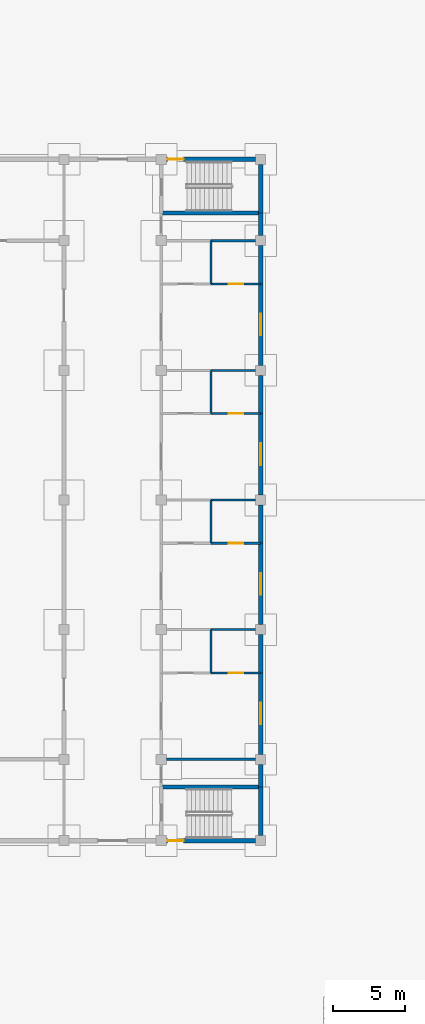
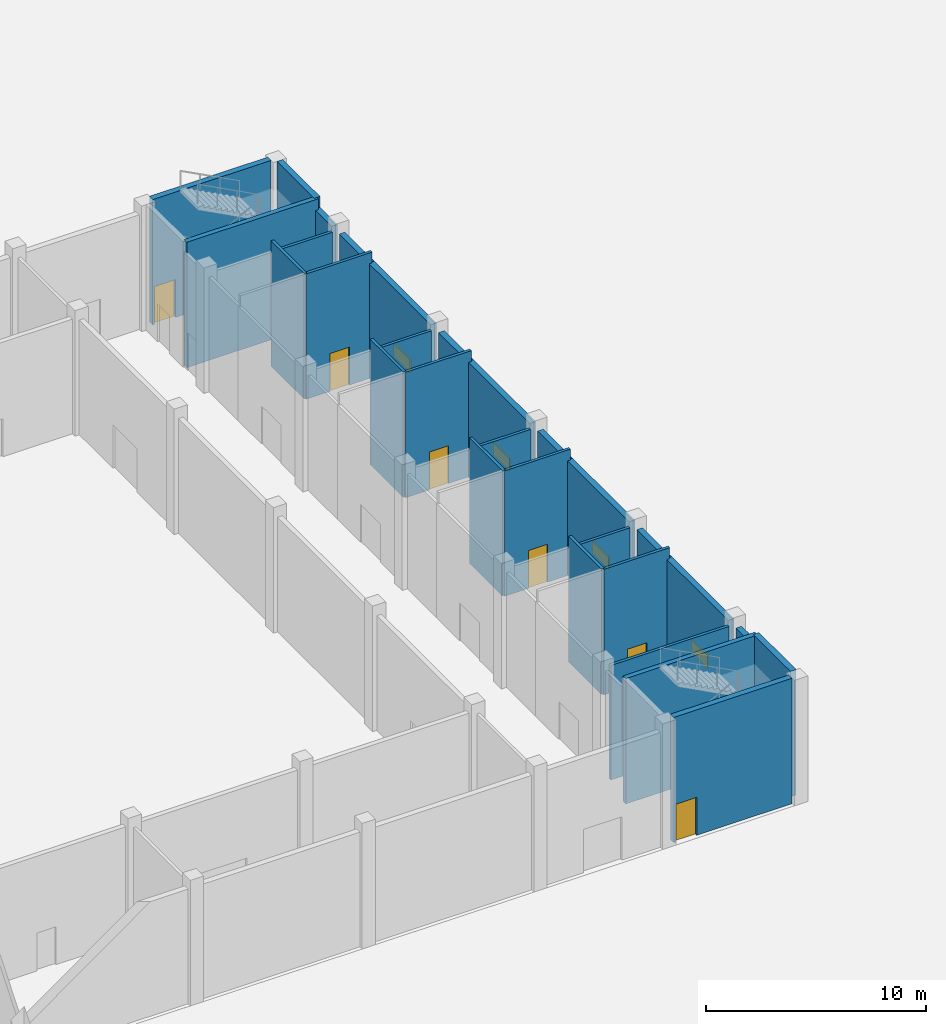
# One storey, part 18 of 30: 29 walls, 6 doors, 4 windows, 10 openings.
"""IFC4 building model written with IfcOpenShell, lengths in metres."""

from ifc_helpers import new_model, si_unit, direction, frame, frame_2d, origin, place, context, subcontext, project, spatial, rectangle, extrude, material, layer, layer_set, type_object, element, fill, save


model = new_model("IFC4")

# Units and contexts
model_context = context("Model", 3, precision=1e-05, world=origin(), true_north=direction((0.0, 1.0)))
body_context = subcontext(model_context, "Body", "Model", "MODEL_VIEW")
ifc_project = project(units=[si_unit("LENGTHUNIT", "METRE"), si_unit("AREAUNIT", "SQUARE_METRE"), si_unit("VOLUMEUNIT", "CUBIC_METRE"), si_unit("PLANEANGLEUNIT", "RADIAN"), si_unit("MASSUNIT", "GRAM", prefix="KILO")], contexts=[model_context])

# Site, building, storey
site_placement = place(None, origin())
site = spatial("IfcSite", under=ifc_project, at=site_placement, CompositionType="ELEMENT")
building_placement = place(site_placement, origin())
building = spatial("IfcBuilding", under=site, at=building_placement, Name="Corbel Stack Research Tower", CompositionType="ELEMENT")
storey_placement = place(building_placement, origin())
storey = spatial("IfcBuildingStorey", under=building, at=storey_placement, Name="L00", CompositionType="ELEMENT", Elevation=0.0)

# Wall
ifc_material_1 = material(Name="Concrete C40/50", Category="concrete")
ifc_layer_1 = layer(ifc_material_1, 0.300048828125)
ifc_layer_set_1 = layer_set([ifc_layer_1], Name="Concrete C40/50")
wall_type_1 = type_object("IfcWallType", Name="HW1 exterior wall 300", PredefinedType="SOLIDWALL", material=ifc_layer_set_1)
wall_1_placement = place(storey_placement, frame((100.60009765625, -19.925048828125, 0.0), z_axis=(0.0, 0.0, 1.0), x_axis=(0.0, 1.0, 0.0)))
element("IfcWall", 1, at=wall_1_placement, inside=storey, type_object=wall_type_1, Name="Exterior wall L00 v100.60/-19.9", PredefinedType="SOLIDWALL", context=body_context, shape_type="SweptSolid", body=[
    extrude(rectangle(XDim=1.574951171875, YDim=0.300048828125, at=frame_2d((0.78759765625, 0.0))), origin(), (0.0, 0.0, 1.0), 6.35009765625),
])

# Wall, opening, window
wall_2_placement = place(storey_placement, frame((100.60009765625, -17.64990234375, 0.0), z_axis=(0.0, 0.0, 1.0), x_axis=(0.0, 1.0, 0.0)))
wall_2 = element("IfcWall", 2, at=wall_2_placement, inside=storey, type_object=wall_type_1, Name="Exterior wall L00 v100.60/-17.6", PredefinedType="SOLIDWALL", context=body_context, shape_type="SweptSolid", body=[
    extrude(rectangle(XDim=5.64990234375, YDim=0.300048828125, at=frame_2d((2.824951171875, 0.0))), origin(), (0.0, 0.0, 1.0), 6.35009765625),
])
opening_1_placement = place(wall_2_placement, frame((2.074951171875, 0.0, 2.39990234375)))
opening_1 = element("IfcOpeningElement", 3, at=opening_1_placement, cuts=wall_2, Name="Opening HX2", PredefinedType="OPENING", context=body_context, shape_type="SweptSolid", body=[
    extrude(rectangle(XDim=1.5, YDim=0.699951171875, at=frame_2d((0.75, 0.35009765625))), frame((0.0, 0.159912109375, 0.0), z_axis=(0.0, -1.0, 0.0), x_axis=(1.0, 0.0, 0.0)), (0.0, 0.0, 1.0), 0.320068359375),
])
ifc_material_2 = material(Name="Glass and aluminium", Category="aluminium")
window_type = type_object("IfcWindowType", Name="HW7 high window 1500 x 700", PartitioningType="SINGLE_PANEL", PredefinedType="WINDOW", material=ifc_material_2)
window_1_placement = place(opening_1_placement, origin())
window_1 = element("IfcWindow", 4, at=window_1_placement, inside=storey, type_object=window_type, Name="Window L00 Changing room 1", OverallHeight=0.699951171875, OverallWidth=1.5, PartitioningType="SINGLE_PANEL", PredefinedType="WINDOW", context=body_context, shape_type="SweptSolid", body=[
    extrude(rectangle(XDim=1.5, YDim=0.699951171875, at=frame_2d((0.75, 0.35009765625))), frame((0.0, 0.030029296875, 0.0), z_axis=(0.0, -1.0, 0.0), x_axis=(1.0, 0.0, 0.0)), (0.0, 0.0, 1.0), 0.06005859375),
])
fill(opening_1, window_1)

# Wall
wall_3_placement = place(storey_placement, frame((100.60009765625, -12.0, 0.0), z_axis=(0.0, 0.0, 1.0), x_axis=(0.0, 1.0, 0.0)))
element("IfcWall", 5, at=wall_3_placement, inside=storey, type_object=wall_type_1, Name="Exterior wall L00 v100.60/-12.0", PredefinedType="SOLIDWALL", context=body_context, shape_type="SweptSolid", body=[
    extrude(rectangle(XDim=2.64990234375, YDim=0.300048828125, at=frame_2d((1.324951171875, 0.0))), origin(), (0.0, 0.0, 1.0), 6.35009765625),
])

# Wall, opening, window
wall_4_placement = place(storey_placement, frame((100.60009765625, -8.64990234375, 0.0), z_axis=(0.0, 0.0, 1.0), x_axis=(0.0, 1.0, 0.0)))
wall_4 = element("IfcWall", 6, at=wall_4_placement, inside=storey, type_object=wall_type_1, Name="Exterior wall L00 v100.60/-8.7", PredefinedType="SOLIDWALL", context=body_context, shape_type="SweptSolid", body=[
    extrude(rectangle(XDim=5.64990234375, YDim=0.300048828125, at=frame_2d((2.824951171875, 0.0))), origin(), (0.0, 0.0, 1.0), 6.35009765625),
])
opening_2_placement = place(wall_4_placement, frame((2.074951171875, 0.0, 2.39990234375)))
opening_2 = element("IfcOpeningElement", 7, at=opening_2_placement, cuts=wall_4, Name="Opening HX2", PredefinedType="OPENING", context=body_context, shape_type="SweptSolid", body=[
    extrude(rectangle(XDim=1.5, YDim=0.699951171875, at=frame_2d((0.75, 0.35009765625))), frame((0.0, 0.159912109375, 0.0), z_axis=(0.0, -1.0, 0.0), x_axis=(1.0, 0.0, 0.0)), (0.0, 0.0, 1.0), 0.320068359375),
])
window_2_placement = place(opening_2_placement, origin())
window_2 = element("IfcWindow", 8, at=window_2_placement, inside=storey, type_object=window_type, Name="Window L00 Changing room 2", OverallHeight=0.699951171875, OverallWidth=1.5, PartitioningType="SINGLE_PANEL", PredefinedType="WINDOW", context=body_context, shape_type="SweptSolid", body=[
    extrude(rectangle(XDim=1.5, YDim=0.699951171875, at=frame_2d((0.75, 0.35009765625))), frame((0.0, 0.030029296875, 0.0), z_axis=(0.0, -1.0, 0.0), x_axis=(1.0, 0.0, 0.0)), (0.0, 0.0, 1.0), 0.06005859375),
])
fill(opening_2, window_2)

# Wall
wall_5_placement = place(storey_placement, frame((100.60009765625, -3.0, 0.0), z_axis=(0.0, 0.0, 1.0), x_axis=(0.0, 1.0, 0.0)))
element("IfcWall", 9, at=wall_5_placement, inside=storey, type_object=wall_type_1, Name="Exterior wall L00 v100.60/-3.0", PredefinedType="SOLIDWALL", context=body_context, shape_type="SweptSolid", body=[
    extrude(rectangle(XDim=2.64990234375, YDim=0.300048828125, at=frame_2d((1.324951171875, 0.0))), origin(), (0.0, 0.0, 1.0), 6.35009765625),
])

# Wall, opening, window
wall_6_placement = place(storey_placement, frame((100.60009765625, 0.35009765625, 0.0), z_axis=(0.0, 0.0, 1.0), x_axis=(0.0, 1.0, 0.0)))
wall_6 = element("IfcWall", 10, at=wall_6_placement, inside=storey, type_object=wall_type_1, Name="Exterior wall L00 v100.60/0.3", PredefinedType="SOLIDWALL", context=body_context, shape_type="SweptSolid", body=[
    extrude(rectangle(XDim=5.64990234375, YDim=0.300048828125, at=frame_2d((2.824951171875, 0.0))), origin(), (0.0, 0.0, 1.0), 6.35009765625),
])
opening_3_placement = place(wall_6_placement, frame((2.074951171875, 0.0, 2.39990234375)))
opening_3 = element("IfcOpeningElement", 11, at=opening_3_placement, cuts=wall_6, Name="Opening HX2", PredefinedType="OPENING", context=body_context, shape_type="SweptSolid", body=[
    extrude(rectangle(XDim=1.5, YDim=0.699951171875, at=frame_2d((0.75, 0.35009765625))), frame((0.0, 0.159912109375, 0.0), z_axis=(0.0, -1.0, 0.0), x_axis=(1.0, 0.0, 0.0)), (0.0, 0.0, 1.0), 0.320068359375),
])
window_3_placement = place(opening_3_placement, origin())
window_3 = element("IfcWindow", 12, at=window_3_placement, inside=storey, type_object=window_type, Name="Window L00 Changing room 3", OverallHeight=0.699951171875, OverallWidth=1.5, PartitioningType="SINGLE_PANEL", PredefinedType="WINDOW", context=body_context, shape_type="SweptSolid", body=[
    extrude(rectangle(XDim=1.5, YDim=0.699951171875, at=frame_2d((0.75, 0.35009765625))), frame((0.0, 0.030029296875, 0.0), z_axis=(0.0, -1.0, 0.0), x_axis=(1.0, 0.0, 0.0)), (0.0, 0.0, 1.0), 0.06005859375),
])
fill(opening_3, window_3)

# Wall
wall_7_placement = place(storey_placement, frame((100.60009765625, 6.0, 0.0), z_axis=(0.0, 0.0, 1.0), x_axis=(0.0, 1.0, 0.0)))
element("IfcWall", 13, at=wall_7_placement, inside=storey, type_object=wall_type_1, Name="Exterior wall L00 v100.60/6.0", PredefinedType="SOLIDWALL", context=body_context, shape_type="SweptSolid", body=[
    extrude(rectangle(XDim=2.64990234375, YDim=0.300048828125, at=frame_2d((1.324951171875, 0.0))), origin(), (0.0, 0.0, 1.0), 6.35009765625),
])

# Wall, opening, window
wall_8_placement = place(storey_placement, frame((100.60009765625, 9.35009765625, 0.0), z_axis=(0.0, 0.0, 1.0), x_axis=(0.0, 1.0, 0.0)))
wall_8 = element("IfcWall", 14, at=wall_8_placement, inside=storey, type_object=wall_type_1, Name="Exterior wall L00 v100.60/9.3", PredefinedType="SOLIDWALL", context=body_context, shape_type="SweptSolid", body=[
    extrude(rectangle(XDim=5.64990234375, YDim=0.300048828125, at=frame_2d((2.824951171875, 0.0))), origin(), (0.0, 0.0, 1.0), 6.35009765625),
])
opening_4_placement = place(wall_8_placement, frame((2.074951171875, 0.0, 2.39990234375)))
opening_4 = element("IfcOpeningElement", 15, at=opening_4_placement, cuts=wall_8, Name="Opening HX2", PredefinedType="OPENING", context=body_context, shape_type="SweptSolid", body=[
    extrude(rectangle(XDim=1.5, YDim=0.699951171875, at=frame_2d((0.75, 0.35009765625))), frame((0.0, 0.159912109375, 0.0), z_axis=(0.0, -1.0, 0.0), x_axis=(1.0, 0.0, 0.0)), (0.0, 0.0, 1.0), 0.320068359375),
])
window_4_placement = place(opening_4_placement, origin())
window_4 = element("IfcWindow", 16, at=window_4_placement, inside=storey, type_object=window_type, Name="Window L00 Changing room 4", OverallHeight=0.699951171875, OverallWidth=1.5, PartitioningType="SINGLE_PANEL", PredefinedType="WINDOW", context=body_context, shape_type="SweptSolid", body=[
    extrude(rectangle(XDim=1.5, YDim=0.699951171875, at=frame_2d((0.75, 0.35009765625))), frame((0.0, 0.030029296875, 0.0), z_axis=(0.0, -1.0, 0.0), x_axis=(1.0, 0.0, 0.0)), (0.0, 0.0, 1.0), 0.06005859375),
])
fill(opening_4, window_4)

# Walls
wall_9_placement = place(storey_placement, frame((100.60009765625, 15.0, 0.0), z_axis=(0.0, 0.0, 1.0), x_axis=(0.0, 1.0, 0.0)))
element("IfcWall", 17, at=wall_9_placement, inside=storey, type_object=wall_type_1, Name="Exterior wall L00 v100.60/15.0", PredefinedType="SOLIDWALL", context=body_context, shape_type="SweptSolid", body=[
    extrude(rectangle(XDim=2.64990234375, YDim=0.300048828125, at=frame_2d((1.324951171875, 0.0))), origin(), (0.0, 0.0, 1.0), 6.35009765625),
])
wall_10_placement = place(storey_placement, frame((100.60009765625, 18.35009765625, 0.0), z_axis=(0.0, 0.0, 1.0), x_axis=(0.0, 1.0, 0.0)))
element("IfcWall", 18, at=wall_10_placement, inside=storey, type_object=wall_type_1, Name="Exterior wall L00 v100.60/18.4", PredefinedType="SOLIDWALL", context=body_context, shape_type="SweptSolid", body=[
    extrude(rectangle(XDim=1.574951171875, YDim=0.300048828125, at=frame_2d((0.78759765625, 0.0))), origin(), (0.0, 0.0, 1.0), 6.35009765625),
])
ifc_material_3 = material(Name="Concrete C40/50", Category="concrete")
ifc_layer_2 = layer(ifc_material_3, 0.25)
ifc_layer_set_2 = layer_set([ifc_layer_2], Name="Concrete C40/50")
wall_type_2 = type_object("IfcWallType", Name="HW2 core wall C40/50 250", PredefinedType="SHEAR", material=ifc_layer_set_2)
for number, where, z_axis, x_axis, name in (
    (19, (93.699951171875, -19.925048828125, 0.0), (0.0, 0.0, 1.0), (1.0, 0.0, 0.0), "Wall L00 h-19.93/93.7"),
    (20, (93.699951171875, 19.925048828125, 0.0), (0.0, 0.0, 1.0), (1.0, 0.0, 0.0), "Wall L00 h19.93/93.7"),
):
    element("IfcWall", number, at=place(storey_placement, frame(where, z_axis=z_axis, x_axis=x_axis)), inside=storey, type_object=wall_type_2, Name=name, PredefinedType="SHEAR", context=body_context, shape_type="SweptSolid", body=[
        extrude(rectangle(XDim=6.900146484375, YDim=0.25, at=frame_2d((3.4501953125, 0.0))), origin(), (0.0, 0.0, 1.0), 6.949951171875),
    ])
ifc_material_4 = material(Name="Concrete masonry unit", Category="masonry")
ifc_layer_3 = layer(ifc_material_4, 0.14990234375)
ifc_layer_set_3 = layer_set([ifc_layer_3], Name="Concrete masonry unit")
wall_type_3 = type_object("IfcWallType", Name="HW3 partition 150", PredefinedType="PARTITIONING", material=ifc_layer_set_3)
wall_11_placement = place(storey_placement, frame((94.050048828125, -18.0, 0.0), z_axis=(0.0, 0.0, 1.0), x_axis=(1.0, 0.0, 0.0)))
element("IfcWall", 21, at=wall_11_placement, inside=storey, type_object=wall_type_3, Name="Wall L00 h-18.00/94.0", PredefinedType="PARTITIONING", context=body_context, shape_type="SweptSolid", body=[
    extrude(rectangle(XDim=6.199951171875, YDim=0.14990234375, at=frame_2d((3.10009765625, 0.0))), origin(), (0.0, 0.0, 1.0), 6.35009765625),
])

# Wall, opening, door
wall_12_placement = place(storey_placement, frame((97.14990234375, -12.0, 0.0), z_axis=(0.0, 0.0, 1.0), x_axis=(1.0, 0.0, 0.0)))
wall_12 = element("IfcWall", 22, at=wall_12_placement, inside=storey, type_object=wall_type_3, Name="Wall L00 h-12.00/97.2", PredefinedType="PARTITIONING", context=body_context, shape_type="SweptSolid", body=[
    extrude(rectangle(XDim=3.4501953125, YDim=0.14990234375, at=frame_2d((1.72509765625, 0.0))), origin(), (0.0, 0.0, 1.0), 6.949951171875),
])
opening_5_placement = place(wall_12_placement, frame((1.25, 0.0, 0.0)))
opening_5 = element("IfcOpeningElement", 23, at=opening_5_placement, cuts=wall_12, Name="Opening H0-09", PredefinedType="OPENING", context=body_context, shape_type="SweptSolid", body=[
    extrude(rectangle(XDim=1.0, YDim=2.10009765625, at=frame_2d((0.5, 1.050048828125))), frame((0.0, 0.0849609375, 0.0), z_axis=(0.0, -1.0, 0.0), x_axis=(1.0, 0.0, 0.0)), (0.0, 0.0, 1.0), 0.169921875),
])
ifc_material_5 = material(Name="Timber", Category="wood")
door_type_1 = type_object("IfcDoorType", Name="HD1 single door 1000 x 2100", OperationType="NOTDEFINED", PredefinedType="DOOR", material=ifc_material_5)
door_1_placement = place(opening_5_placement, origin())
door_1 = element("IfcDoor", 24, at=door_1_placement, inside=storey, type_object=door_type_1, Name="Door H0-09", OperationType="SINGLE_SWING_RIGHT", OverallHeight=2.10009765625, OverallWidth=1.0, PredefinedType="DOOR", context=body_context, shape_type="SweptSolid", body=[
    extrude(rectangle(XDim=1.0, YDim=2.10009765625, at=frame_2d((0.5, 1.050048828125))), frame((0.0, 0.02490234375, 0.0), z_axis=(0.0, -1.0, 0.0), x_axis=(1.0, 0.0, 0.0)), (0.0, 0.0, 1.0), 0.050048828125),
])
fill(opening_5, door_1)

# Wall
wall_13_placement = place(storey_placement, frame((97.14990234375, -9.0, 0.0), z_axis=(0.0, 0.0, 1.0), x_axis=(1.0, 0.0, 0.0)))
element("IfcWall", 25, at=wall_13_placement, inside=storey, type_object=wall_type_3, Name="Wall L00 h-9.00/97.2", PredefinedType="PARTITIONING", context=body_context, shape_type="SweptSolid", body=[
    extrude(rectangle(XDim=3.10009765625, YDim=0.14990234375, at=frame_2d((1.550048828125, 0.0))), origin(), (0.0, 0.0, 1.0), 6.35009765625),
])

# Wall, opening, door
wall_14_placement = place(storey_placement, frame((97.14990234375, -3.0, 0.0), z_axis=(0.0, 0.0, 1.0), x_axis=(1.0, 0.0, 0.0)))
wall_14 = element("IfcWall", 26, at=wall_14_placement, inside=storey, type_object=wall_type_3, Name="Wall L00 h-3.00/97.2", PredefinedType="PARTITIONING", context=body_context, shape_type="SweptSolid", body=[
    extrude(rectangle(XDim=3.4501953125, YDim=0.14990234375, at=frame_2d((1.72509765625, 0.0))), origin(), (0.0, 0.0, 1.0), 6.949951171875),
])
opening_6_placement = place(wall_14_placement, frame((1.25, 0.0, 0.0)))
opening_6 = element("IfcOpeningElement", 27, at=opening_6_placement, cuts=wall_14, Name="Opening H0-12", PredefinedType="OPENING", context=body_context, shape_type="SweptSolid", body=[
    extrude(rectangle(XDim=1.0, YDim=2.10009765625, at=frame_2d((0.5, 1.050048828125))), frame((0.0, 0.0849609375, 0.0), z_axis=(0.0, -1.0, 0.0), x_axis=(1.0, 0.0, 0.0)), (0.0, 0.0, 1.0), 0.169921875),
])
door_2_placement = place(opening_6_placement, origin())
door_2 = element("IfcDoor", 28, at=door_2_placement, inside=storey, type_object=door_type_1, Name="Door H0-12", OperationType="SINGLE_SWING_LEFT", OverallHeight=2.10009765625, OverallWidth=1.0, PredefinedType="DOOR", context=body_context, shape_type="SweptSolid", body=[
    extrude(rectangle(XDim=1.0, YDim=2.10009765625, at=frame_2d((0.5, 1.050048828125))), frame((0.0, 0.02490234375, 0.0), z_axis=(0.0, -1.0, 0.0), x_axis=(1.0, 0.0, 0.0)), (0.0, 0.0, 1.0), 0.050048828125),
])
fill(opening_6, door_2)

# Wall
wall_15_placement = place(storey_placement, frame((97.14990234375, 0.0, 0.0), z_axis=(0.0, 0.0, 1.0), x_axis=(1.0, 0.0, 0.0)))
element("IfcWall", 29, at=wall_15_placement, inside=storey, type_object=wall_type_3, Name="Wall L00 h0.00/97.2", PredefinedType="PARTITIONING", context=body_context, shape_type="SweptSolid", body=[
    extrude(rectangle(XDim=3.10009765625, YDim=0.14990234375, at=frame_2d((1.550048828125, 0.0))), origin(), (0.0, 0.0, 1.0), 6.35009765625),
])

# Wall, opening, door
wall_16_placement = place(storey_placement, frame((97.14990234375, 6.0, 0.0), z_axis=(0.0, 0.0, 1.0), x_axis=(1.0, 0.0, 0.0)))
wall_16 = element("IfcWall", 30, at=wall_16_placement, inside=storey, type_object=wall_type_3, Name="Wall L00 h6.00/97.2", PredefinedType="PARTITIONING", context=body_context, shape_type="SweptSolid", body=[
    extrude(rectangle(XDim=3.4501953125, YDim=0.14990234375, at=frame_2d((1.72509765625, 0.0))), origin(), (0.0, 0.0, 1.0), 6.949951171875),
])
opening_7_placement = place(wall_16_placement, frame((1.25, 0.0, 0.0)))
opening_7 = element("IfcOpeningElement", 31, at=opening_7_placement, cuts=wall_16, Name="Opening H0-14", PredefinedType="OPENING", context=body_context, shape_type="SweptSolid", body=[
    extrude(rectangle(XDim=1.0, YDim=2.10009765625, at=frame_2d((0.5, 1.050048828125))), frame((0.0, 0.0849609375, 0.0), z_axis=(0.0, -1.0, 0.0), x_axis=(1.0, 0.0, 0.0)), (0.0, 0.0, 1.0), 0.169921875),
])
door_3_placement = place(opening_7_placement, origin())
door_3 = element("IfcDoor", 32, at=door_3_placement, inside=storey, type_object=door_type_1, Name="Door H0-14", OperationType="SINGLE_SWING_LEFT", OverallHeight=2.10009765625, OverallWidth=1.0, PredefinedType="DOOR", context=body_context, shape_type="SweptSolid", body=[
    extrude(rectangle(XDim=1.0, YDim=2.10009765625, at=frame_2d((0.5, 1.050048828125))), frame((0.0, 0.02490234375, 0.0), z_axis=(0.0, -1.0, 0.0), x_axis=(1.0, 0.0, 0.0)), (0.0, 0.0, 1.0), 0.050048828125),
])
fill(opening_7, door_3)

# Wall
wall_17_placement = place(storey_placement, frame((97.14990234375, 9.0, 0.0), z_axis=(0.0, 0.0, 1.0), x_axis=(1.0, 0.0, 0.0)))
element("IfcWall", 33, at=wall_17_placement, inside=storey, type_object=wall_type_3, Name="Wall L00 h9.00/97.2", PredefinedType="PARTITIONING", context=body_context, shape_type="SweptSolid", body=[
    extrude(rectangle(XDim=3.10009765625, YDim=0.14990234375, at=frame_2d((1.550048828125, 0.0))), origin(), (0.0, 0.0, 1.0), 6.35009765625),
])

# Wall, opening, door
wall_18_placement = place(storey_placement, frame((97.14990234375, 15.0, 0.0), z_axis=(0.0, 0.0, 1.0), x_axis=(1.0, 0.0, 0.0)))
wall_18 = element("IfcWall", 34, at=wall_18_placement, inside=storey, type_object=wall_type_3, Name="Wall L00 h15.00/97.2", PredefinedType="PARTITIONING", context=body_context, shape_type="SweptSolid", body=[
    extrude(rectangle(XDim=3.4501953125, YDim=0.14990234375, at=frame_2d((1.72509765625, 0.0))), origin(), (0.0, 0.0, 1.0), 6.949951171875),
])
opening_8_placement = place(wall_18_placement, frame((1.25, 0.0, 0.0)))
opening_8 = element("IfcOpeningElement", 35, at=opening_8_placement, cuts=wall_18, Name="Opening H0-16", PredefinedType="OPENING", context=body_context, shape_type="SweptSolid", body=[
    extrude(rectangle(XDim=1.0, YDim=2.10009765625, at=frame_2d((0.5, 1.050048828125))), frame((0.0, 0.0849609375, 0.0), z_axis=(0.0, -1.0, 0.0), x_axis=(1.0, 0.0, 0.0)), (0.0, 0.0, 1.0), 0.169921875),
])
door_4_placement = place(opening_8_placement, origin())
door_4 = element("IfcDoor", 36, at=door_4_placement, inside=storey, type_object=door_type_1, Name="Door H0-16", OperationType="SINGLE_SWING_LEFT", OverallHeight=2.10009765625, OverallWidth=1.0, PredefinedType="DOOR", context=body_context, shape_type="SweptSolid", body=[
    extrude(rectangle(XDim=1.0, YDim=2.10009765625, at=frame_2d((0.5, 1.050048828125))), frame((0.0, 0.02490234375, 0.0), z_axis=(0.0, -1.0, 0.0), x_axis=(1.0, 0.0, 0.0)), (0.0, 0.0, 1.0), 0.050048828125),
])
fill(opening_8, door_4)

# Walls
wall_19_placement = place(storey_placement, frame((97.14990234375, 18.0, 0.0), z_axis=(0.0, 0.0, 1.0), x_axis=(1.0, 0.0, 0.0)))
element("IfcWall", 37, at=wall_19_placement, inside=storey, type_object=wall_type_3, Name="Wall L00 h18.00/97.2", PredefinedType="PARTITIONING", context=body_context, shape_type="SweptSolid", body=[
    extrude(rectangle(XDim=3.10009765625, YDim=0.14990234375, at=frame_2d((1.550048828125, 0.0))), origin(), (0.0, 0.0, 1.0), 6.35009765625),
])
for number, where, z_axis, x_axis, name in (
    (38, (97.14990234375, -12.0, 0.0), (0.0, 0.0, 1.0), (0.0, 1.0, 0.0), "Wall L00 v97.15/-12.0"),
    (39, (97.14990234375, -3.0, 0.0), (0.0, 0.0, 1.0), (0.0, 1.0, 0.0), "Wall L00 v97.15/-3.0"),
    (40, (97.14990234375, 6.0, 0.0), (0.0, 0.0, 1.0), (0.0, 1.0, 0.0), "Wall L00 v97.15/6.0"),
    (41, (97.14990234375, 15.0, 0.0), (0.0, 0.0, 1.0), (0.0, 1.0, 0.0), "Wall L00 v97.15/15.0"),
):
    element("IfcWall", number, at=place(storey_placement, frame(where, z_axis=z_axis, x_axis=x_axis)), inside=storey, type_object=wall_type_3, Name=name, PredefinedType="PARTITIONING", context=body_context, shape_type="SweptSolid", body=[
        extrude(rectangle(XDim=3.0, YDim=0.14990234375, at=frame_2d((1.5, 0.0))), origin(), (0.0, 0.0, 1.0), 6.949951171875),
    ])

# Wall, opening, door
ifc_material_6 = material(Name="Concrete C40/50", Category="concrete")
ifc_layer_4 = layer(ifc_material_6, 0.300048828125)
ifc_layer_set_4 = layer_set([ifc_layer_4], Name="Concrete C40/50")
wall_type_4 = type_object("IfcWallType", Name="HW6 exterior wall C40/50 300", PredefinedType="SHEAR", material=ifc_layer_set_4)
wall_20_placement = place(storey_placement, frame((100.25, -23.64990234375, 0.0), z_axis=(0.0, 0.0, 1.0), x_axis=(-1.0, 0.0, 0.0)))
wall_20 = element("IfcWall", 42, at=wall_20_placement, inside=storey, type_object=wall_type_4, Name="Exterior wall L00 h-23.65/94.0", PredefinedType="SHEAR", context=body_context, shape_type="SweptSolid", body=[
    extrude(rectangle(XDim=6.199951171875, YDim=0.300048828125, at=frame_2d((3.10009765625, 0.0))), origin(), (0.0, 0.0, 1.0), 6.949951171875),
])
opening_9_placement = place(wall_20_placement, frame((5.0, 0.0, 0.0)))
opening_9 = element("IfcOpeningElement", 43, at=opening_9_placement, cuts=wall_20, Name="Opening H0-04", PredefinedType="OPENING", context=body_context, shape_type="SweptSolid", body=[
    extrude(rectangle(XDim=1.10009765625, YDim=2.10009765625, at=frame_2d((0.550048828125, 1.050048828125))), frame((0.0, 0.159912109375, 0.0), z_axis=(0.0, -1.0, 0.0), x_axis=(1.0, 0.0, 0.0)), (0.0, 0.0, 1.0), 0.320068359375),
])
ifc_material_7 = material(Name="Steel", Category="steel")
door_type_2 = type_object("IfcDoorType", Name="HD4 fire door 1100 x 2100", OperationType="NOTDEFINED", PredefinedType="DOOR", material=ifc_material_7)
door_5_placement = place(opening_9_placement, origin())
door_5 = element("IfcDoor", 44, at=door_5_placement, inside=storey, type_object=door_type_2, Name="Door H0-04", OperationType="SINGLE_SWING_LEFT", OverallHeight=2.10009765625, OverallWidth=1.10009765625, PredefinedType="DOOR", context=body_context, shape_type="SweptSolid", body=[
    extrude(rectangle(XDim=1.10009765625, YDim=2.10009765625, at=frame_2d((0.550048828125, 1.050048828125))), frame((0.0, 0.02490234375, 0.0), z_axis=(0.0, -1.0, 0.0), x_axis=(1.0, 0.0, 0.0)), (0.0, 0.0, 1.0), 0.050048828125),
])
fill(opening_9, door_5)

wall_21_placement = place(storey_placement, frame((94.050048828125, 23.64990234375, 0.0), z_axis=(0.0, 0.0, 1.0), x_axis=(1.0, 0.0, 0.0)))
wall_21 = element("IfcWall", 45, at=wall_21_placement, inside=storey, type_object=wall_type_4, Name="Exterior wall L00 h23.65/94.0", PredefinedType="SHEAR", context=body_context, shape_type="SweptSolid", body=[
    extrude(rectangle(XDim=6.199951171875, YDim=0.300048828125, at=frame_2d((3.10009765625, 0.0))), origin(), (0.0, 0.0, 1.0), 6.949951171875),
])
opening_10_placement = place(wall_21_placement, frame((0.10009765625, 0.0, 0.0)))
opening_10 = element("IfcOpeningElement", 46, at=opening_10_placement, cuts=wall_21, Name="Opening H0-22", PredefinedType="OPENING", context=body_context, shape_type="SweptSolid", body=[
    extrude(rectangle(XDim=1.10009765625, YDim=2.10009765625, at=frame_2d((0.550048828125, 1.050048828125))), frame((0.0, 0.159912109375, 0.0), z_axis=(0.0, -1.0, 0.0), x_axis=(1.0, 0.0, 0.0)), (0.0, 0.0, 1.0), 0.320068359375),
])
door_6_placement = place(opening_10_placement, origin())
door_6 = element("IfcDoor", 47, at=door_6_placement, inside=storey, type_object=door_type_2, Name="Door H0-22", OperationType="SINGLE_SWING_LEFT", OverallHeight=2.10009765625, OverallWidth=1.10009765625, PredefinedType="DOOR", context=body_context, shape_type="SweptSolid", body=[
    extrude(rectangle(XDim=1.10009765625, YDim=2.10009765625, at=frame_2d((0.550048828125, 1.050048828125))), frame((0.0, 0.02490234375, 0.0), z_axis=(0.0, -1.0, 0.0), x_axis=(1.0, 0.0, 0.0)), (0.0, 0.0, 1.0), 0.050048828125),
])
fill(opening_10, door_6)

# Walls
for number, where, z_axis, x_axis, name in (
    (48, (100.60009765625, -23.300048828125, 0.0), (0.0, 0.0, 1.0), (0.0, 1.0, 0.0), "Exterior wall L00 v100.60/-23.3"),
    (49, (100.60009765625, 19.925048828125, 0.0), (0.0, 0.0, 1.0), (0.0, 1.0, 0.0), "Exterior wall L00 v100.60/19.9"),
):
    element("IfcWall", number, at=place(storey_placement, frame(where, z_axis=z_axis, x_axis=x_axis)), inside=storey, type_object=wall_type_4, Name=name, PredefinedType="SHEAR", context=body_context, shape_type="SweptSolid", body=[
        extrude(rectangle(XDim=3.375, YDim=0.300048828125, at=frame_2d((1.6875, 0.0))), origin(), (0.0, 0.0, 1.0), 6.949951171875),
    ])

save(model, "model.ifc")
